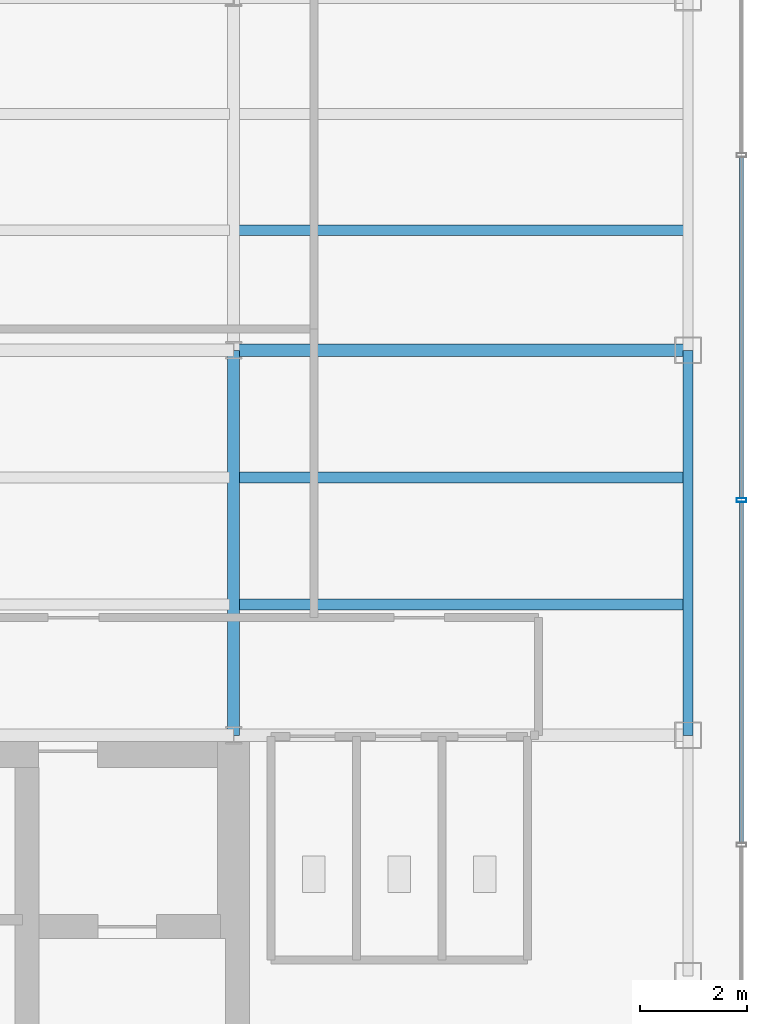
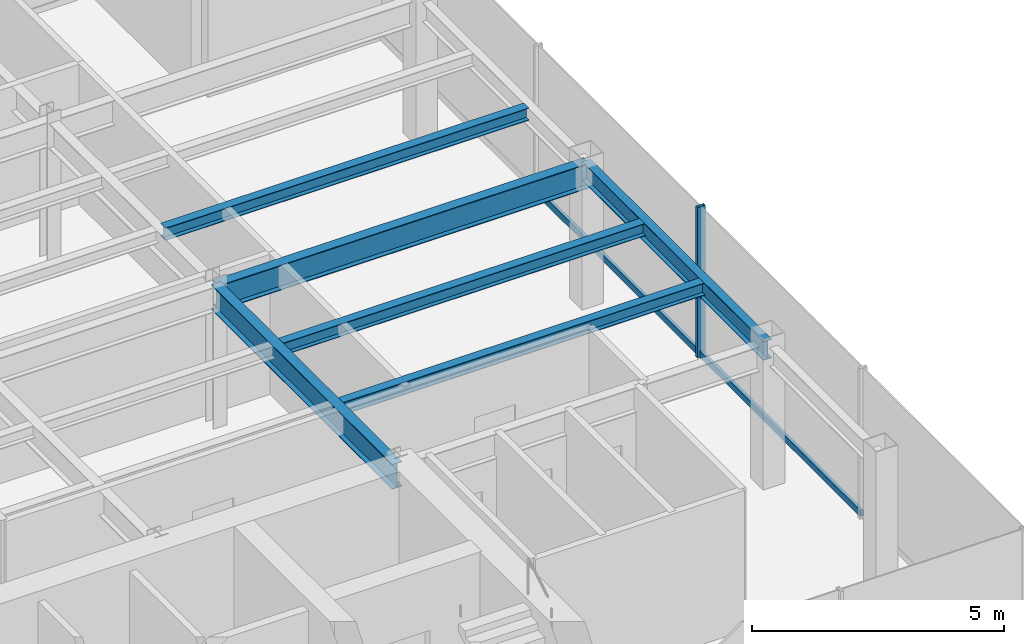
# One storey, part 10 of 22: 6 beams, 3 members, 1 element without a shape of its own.
"""IFC4 building model written with IfcOpenShell, lengths in metres."""

from ifc_helpers import new_model, si_unit, derived_unit, direction, frame, origin, origin_2d, place, context, subcontext, project, spatial, hollow_rectangle, i_section, extrude, source, transform, mapped, material, material_profile, profile_set, type_object, element, aggregate, save


model = new_model("IFC4")

# Units and contexts
model_context = context("Model", 3, precision=1e-05, world=origin(), true_north=direction((0.0, 1.0)))
body_context = subcontext(model_context, "Body", "Model", "MODEL_VIEW")
ifc_project = project(units=[si_unit("LENGTHUNIT", "METRE"), si_unit("AREAUNIT", "SQUARE_METRE"), si_unit("VOLUMEUNIT", "CUBIC_METRE"), si_unit("PLANEANGLEUNIT", "RADIAN"), si_unit("MASSUNIT", "GRAM", prefix="KILO"), derived_unit("THERMALTRANSMITTANCEUNIT", [(si_unit("POWERUNIT", "WATT"), 1), (si_unit("LENGTHUNIT", "METRE"), -2), (si_unit("THERMODYNAMICTEMPERATUREUNIT", "KELVIN"), -1)])], contexts=[model_context])

# Site, building, storey
site_placement = place(None, origin())
site = spatial("IfcSite", under=ifc_project, at=site_placement, CompositionType="ELEMENT")
building_placement = place(site_placement, origin())
building = spatial("IfcBuilding", under=site, at=building_placement, Name="Skarnbrae Concourse Arena and Tower", CompositionType="ELEMENT")
storey_placement = place(building_placement, frame((0.0, 0.0, 255.14990234375)))
storey = spatial("IfcBuildingStorey", under=building, at=storey_placement, Name="L66", CompositionType="ELEMENT", Elevation=255.14990234375)

# Beams
ifc_material_1 = material(Name="Steel CSA G40.21 350W", Category="steel")
ifc_material_profile_1 = material_profile(ifc_material_1, i_section(OverallWidth=0.22802734375, OverallDepth=0.60791015625, WebThickness=0.01123046875, FlangeThickness=0.017333984375, at=origin_2d()), Name="W610X113")
ifc_profile_set_1 = profile_set([ifc_material_profile_1], Name="Steel CSA G40.21 350W")
beam_type_1 = type_object("IfcBeamType", Name="BM-GIRD-W610X113", PredefinedType="BEAM", material=ifc_profile_set_1)
shared_shape_1 = source(origin(), body_context, "Body", "SweptSolid", [
    extrude(i_section(OverallWidth=0.22802734375, OverallDepth=0.60791015625, WebThickness=0.01123046875, FlangeThickness=0.017333984375, at=origin_2d()), origin(), (0.0, 0.0, 1.0), 8.5),
])
beam_1_placement = place(storey_placement, frame((33.5, 21.199951171875, 3.09619140625), z_axis=(1.0, 0.0, 0.0), x_axis=(0.0, 1.0, 0.0)))
element("IfcBeam", 1, at=beam_1_placement, inside=storey, type_object=beam_type_1, Name="L66 Primary E-W girder Y21.2-6", PredefinedType="BEAM", context=body_context, shape_type="MappedRepresentation", body=[
    mapped(shared_shape_1, transform((0.0, 0.0, 0.0))),
])
ifc_material_profile_2 = material_profile(ifc_material_1, i_section(OverallWidth=0.19091796875, OverallDepth=0.4599609375, WebThickness=0.010009765625, FlangeThickness=0.01611328125, at=origin_2d()), Name="W460X82")
ifc_profile_set_2 = profile_set([ifc_material_profile_2], Name="Steel CSA G40.21 350W")
beam_type_2 = type_object("IfcBeamType", Name="BM-SPAN-W460X82", PredefinedType="SPANDREL", material=ifc_profile_set_2)
shared_shape_2 = source(origin(), body_context, "Body", "SweptSolid", [
    extrude(i_section(OverallWidth=0.19091796875, OverallDepth=0.4599609375, WebThickness=0.010009765625, FlangeThickness=0.01611328125, at=origin_2d()), origin(), (0.0, 0.0, 1.0), 7.199951171875),
])
beam_2_placement = place(storey_placement, frame((42.0, 14.0, 3.170166015625), z_axis=(0.0, 1.0, 0.0), x_axis=(-1.0, 0.0, 0.0)))
element("IfcBeam", 2, at=beam_2_placement, inside=storey, type_object=beam_type_2, Name="L66 Perimeter spandrel X42.0-2", PredefinedType="SPANDREL", context=body_context, shape_type="MappedRepresentation", body=[
    mapped(shared_shape_2, transform((0.0, 0.0, 0.0))),
])
shared_shape_3 = source(origin(), body_context, "Body", "SweptSolid", [
    extrude(i_section(OverallWidth=0.22802734375, OverallDepth=0.60791015625, WebThickness=0.01123046875, FlangeThickness=0.017333984375, at=origin_2d()), origin(), (0.0, 0.0, 1.0), 7.199951171875),
])
beam_3_placement = place(storey_placement, frame((33.5, 14.0, 3.09619140625), z_axis=(0.0, 1.0, 0.0), x_axis=(-1.0, 0.0, 0.0)))
element("IfcBeam", 3, at=beam_3_placement, inside=storey, type_object=beam_type_1, Name="L66 Primary N-S girder X33.5-1", PredefinedType="BEAM", context=body_context, shape_type="MappedRepresentation", body=[
    mapped(shared_shape_3, transform((0.0, 0.0, 0.0))),
])
ifc_material_profile_3 = material_profile(ifc_material_1, i_section(OverallWidth=0.202880859375, OverallDepth=0.302978515625, WebThickness=0.007568359375, FlangeThickness=0.01318359375, at=origin_2d()), Name="W310X60")
ifc_profile_set_3 = profile_set([ifc_material_profile_3], Name="Steel CSA G40.21 350W")
beam_type_3 = type_object("IfcBeamType", Name="BM-JOIST-W310X60", PredefinedType="JOIST", material=ifc_profile_set_3)
shared_shape_4 = source(origin(), body_context, "Body", "SweptSolid", [
    extrude(i_section(OverallWidth=0.202880859375, OverallDepth=0.302978515625, WebThickness=0.007568359375, FlangeThickness=0.01318359375, at=origin_2d()), origin(), (0.0, 0.0, 1.0), 8.33984375),
])
for number, where, z_axis, x_axis, name in (
    (4, (33.580078125, 16.447998046875, 3.24853515625), (1.0, 0.0, 0.0), (0.0, 1.0, 0.0), "L66 Secondary floor joist 1.1.6"),
    (5, (33.580078125, 18.823974609375, 3.24853515625), (1.0, 0.0, 0.0), (0.0, 1.0, 0.0), "L66 Secondary floor joist 1.2.6"),
    (6, (33.580078125, 23.444091796875, 3.24853515625), (1.0, 0.0, 0.0), (0.0, 1.0, 0.0), "L66 Secondary floor joist 2.1.6"),
):
    element("IfcBeam", number, at=place(storey_placement, frame(where, z_axis=z_axis, x_axis=x_axis)), inside=storey, type_object=beam_type_3, Name=name, PredefinedType="JOIST", context=body_context, shape_type="MappedRepresentation", body=[
        mapped(shared_shape_4, transform((0.0, 0.0, 0.0))),
    ])

# Curtain wall, members
ifc_material_2 = material(Name="Bronze anodised aluminium 6063-T6", Category="aluminium")
curtain_wall_type = type_object("IfcCurtainWallType", Name="CW-SYS-05-HIGHZONE", PredefinedType="USERDEFINED", material=ifc_material_2)
curtain_wall_placement = place(storey_placement, origin())
curtain_wall = element("IfcCurtainWall", 7, at=curtain_wall_placement, inside=storey, type_object=curtain_wall_type, Name="L66 Unitised curtain wall CW-L66-E04", ObjectType="UNITISED CURTAIN WALL", PredefinedType="USERDEFINED")
ifc_material_profile_4 = material_profile(ifc_material_2, hollow_rectangle(XDim=0.074951171875, YDim=0.14990234375, WallThickness=0.00390625, at=origin_2d()), Name="ALU-TRAN-75X150")
ifc_profile_set_4 = profile_set([ifc_material_profile_4], Name="Bronze anodised aluminium 6063-T6")
member_type_1 = type_object("IfcMemberType", Name="CWT-CW-05", PredefinedType="USERDEFINED", material=ifc_profile_set_4)
shared_shape_5 = source(origin(), body_context, "Body", "SweptSolid", [
    extrude(hollow_rectangle(XDim=0.074951171875, YDim=0.14990234375, WallThickness=0.00390625, at=origin_2d()), origin(), (0.0, 0.0, 1.0), 6.375),
])
member_1_placement = place(storey_placement, frame((43.0, 11.987548828125, 0.0751953125), z_axis=(0.0, 1.0, 0.0), x_axis=(-1.0, 0.0, 0.0)))
member_1 = element("IfcMember", 8, at=member_1_placement, type_object=member_type_1, Name="CW-L66-E04 Transom 2", ObjectType="TRANSOM", PredefinedType="USERDEFINED", context=body_context, shape_type="MappedRepresentation", body=[
    mapped(shared_shape_5, transform((0.0, 0.0, 0.0))),
])
member_2_placement = place(storey_placement, frame((43.0, 18.4375, 0.0751953125), z_axis=(0.0, 1.0, 0.0), x_axis=(-1.0, 0.0, 0.0)))
member_2 = element("IfcMember", 9, at=member_2_placement, type_object=member_type_1, Name="CW-L66-E04 Transom 3", ObjectType="TRANSOM", PredefinedType="USERDEFINED", context=body_context, shape_type="MappedRepresentation", body=[
    mapped(shared_shape_5, transform((0.0, 0.0, 0.0))),
])
ifc_material_profile_5 = material_profile(ifc_material_2, hollow_rectangle(XDim=0.074951171875, YDim=0.179931640625, WallThickness=0.00390625, at=origin_2d()), Name="ALU-MULL-75X180")
ifc_profile_set_5 = profile_set([ifc_material_profile_5], Name="Bronze anodised aluminium 6063-T6")
member_type_2 = type_object("IfcMemberType", Name="CWM-CW-05", PredefinedType="MULLION", material=ifc_profile_set_5)
shared_shape_6 = source(origin(), body_context, "Body", "SweptSolid", [
    extrude(hollow_rectangle(XDim=0.074951171875, YDim=0.179931640625, WallThickness=0.00390625, at=origin_2d()), origin(), (0.0, 0.0, 1.0), 3.650146484375),
])
member_3_placement = place(storey_placement, frame((43.0, 18.39990234375, 0.0), z_axis=(0.0, 0.0, 1.0), x_axis=(0.0, 1.0, 0.0)))
member_3 = element("IfcMember", 10, at=member_3_placement, type_object=member_type_2, Name="CW-L66-E04 Mullion 3", PredefinedType="MULLION", context=body_context, shape_type="MappedRepresentation", body=[
    mapped(shared_shape_6, transform((0.0, 0.0, 0.0))),
])
aggregate(curtain_wall, [member_3, member_1, member_2])

save(model, "model.ifc")
